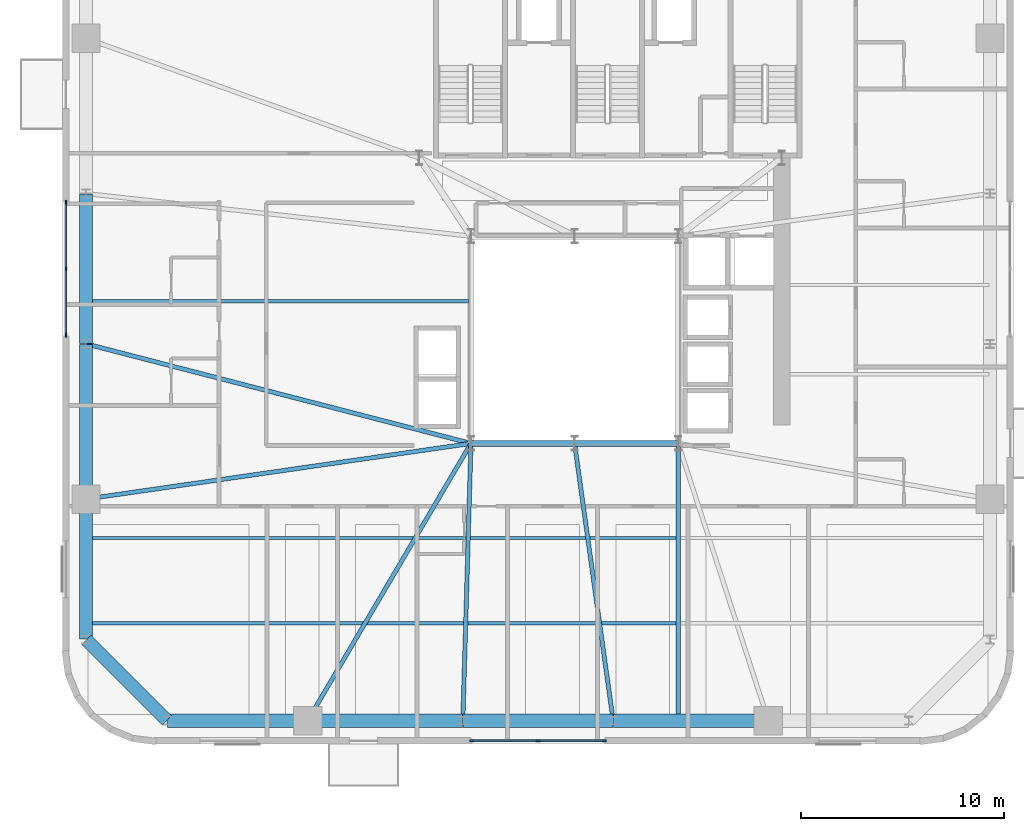
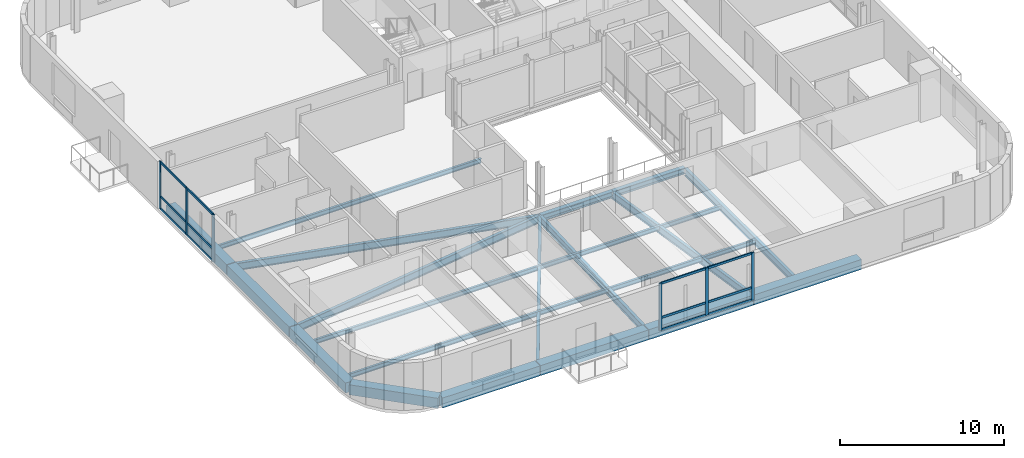
# One storey, part 3 of 16: 19 beams, 18 members, 2 elements without a shape of their own.
"""IFC4 building model written with IfcOpenShell, lengths in metres."""

from ifc_helpers import new_model, si_unit, direction, frame, origin, origin_2d, place, context, subcontext, project, spatial, rectangle, i_section, extrude, source, transform, mapped, material, material_profile, profile_set, type_object, element, aggregate, save


model = new_model("IFC4")

# Units and contexts
model_context = context("Model", 3, precision=1e-05, world=origin(), true_north=direction((0.0, 1.0)))
body_context = subcontext(model_context, "Body", "Model", "MODEL_VIEW")
ifc_project = project(units=[si_unit("LENGTHUNIT", "METRE"), si_unit("AREAUNIT", "SQUARE_METRE"), si_unit("VOLUMEUNIT", "CUBIC_METRE"), si_unit("PLANEANGLEUNIT", "RADIAN"), si_unit("MASSUNIT", "GRAM", prefix="KILO")], contexts=[model_context])

# Site, building, storey
site_placement = place(None, origin())
site = spatial("IfcSite", under=ifc_project, at=site_placement, CompositionType="ELEMENT")
building_placement = place(site_placement, origin())
building = spatial("IfcBuilding", under=site, at=building_placement, Name="Vardaveli Station Tower", CompositionType="ELEMENT")
storey_placement = place(building_placement, frame((0.0, 0.0, 211.050048828125)))
storey = spatial("IfcBuildingStorey", under=building, at=storey_placement, Name="L54", CompositionType="ELEMENT", Elevation=211.050048828125)

# Beams
ifc_material_1 = material(Name="Structural steel S355J2", Category="steel")
ifc_material_profile_1 = material_profile(ifc_material_1, i_section(OverallWidth=0.300048828125, OverallDepth=0.449951171875, WebThickness=0.013916015625, FlangeThickness=0.02587890625, FilletRadius=0.027099609375, at=origin_2d()), Name="HEB 450")
ifc_profile_set_1 = profile_set([ifc_material_profile_1], Name="Structural steel S355J2")
beam_type_1 = type_object("IfcBeamType", Name="BM-HEB450", PredefinedType="BEAM", material=ifc_profile_set_1)
shared_shape_1 = source(origin(), body_context, "Body", "SweptSolid", [
    extrude(i_section(OverallWidth=0.300048828125, OverallDepth=0.449951171875, WebThickness=0.013916015625, FlangeThickness=0.02587890625, FilletRadius=0.027099609375, at=origin_2d()), origin(), (0.0, 0.0, 1.0), 5.06005859375),
])
beam_1_placement = place(storey_placement, frame((31.219970703125, 16.60009765625, -0.445068359375), z_axis=(1.0, 0.0, 0.0), x_axis=(0.0, 1.0, 0.0)))
element("IfcBeam", 1, at=beam_1_placement, inside=storey, type_object=beam_type_1, Name="ABM-L54-01", PredefinedType="BEAM", context=body_context, shape_type="MappedRepresentation", body=[
    mapped(shared_shape_1, transform((0.0, 0.0, 0.0), scale=1.0)),
])
shared_shape_2 = source(origin(), body_context, "Body", "SweptSolid", [
    extrude(i_section(OverallWidth=0.300048828125, OverallDepth=0.449951171875, WebThickness=0.013916015625, FlangeThickness=0.02587890625, FilletRadius=0.027099609375, at=origin_2d()), origin(), (0.0, 0.0, 1.0), 5.059814453125),
])
beam_2_placement = place(storey_placement, frame((36.320068359375, 16.60009765625, -0.445068359375), z_axis=(1.0, 0.0, 0.0), x_axis=(0.0, 1.0, 0.0)))
element("IfcBeam", 2, at=beam_2_placement, inside=storey, type_object=beam_type_1, Name="ABM-L54-02", PredefinedType="BEAM", context=body_context, shape_type="MappedRepresentation", body=[
    mapped(shared_shape_2, transform((0.0, 0.0, 0.0), scale=1.0)),
])
ifc_material_2 = material(Name="Precast concrete C45/55", Category="concrete")
ifc_material_profile_2 = material_profile(ifc_material_2, rectangle(XDim=0.64990234375, YDim=0.75, at=origin_2d()), Name="LPB 650x750")
ifc_profile_set_2 = profile_set([ifc_material_profile_2], Name="Precast concrete C45/55")
beam_type_2 = type_object("IfcBeamType", Name="BM-LPB-750", PredefinedType="BEAM", material=ifc_profile_set_2)
shared_shape_3 = source(origin(), body_context, "Body", "SweptSolid", [
    extrude(rectangle(XDim=0.64990234375, YDim=0.75, at=origin_2d()), origin(), (0.0, 0.0, 1.0), 7.60009765625),
])
for number, where, z_axis, x_axis, name in (
    (3, (23.179931640625, 2.949951171875, -0.594970703125), (1.0, 0.0, 0.0), (0.0, 1.0, 0.0), "RBM-L54-01"),
    (4, (38.219970703125, 2.949951171875, -0.594970703125), (1.0, 0.0, 0.0), (0.0, 1.0, 0.0), "RBM-L54-03"),
    (5, (12.25, 21.47998046875, -0.594970703125), (0.0, -1.0, 0.0), (1.0, 0.0, 0.0), "RBM-L54-21"),
):
    element("IfcBeam", number, at=place(storey_placement, frame(where, z_axis=z_axis, x_axis=x_axis)), inside=storey, type_object=beam_type_2, Name=name, PredefinedType="BEAM", context=body_context, shape_type="MappedRepresentation", body=[
        mapped(shared_shape_3, transform((0.0, 0.0, 0.0), scale=1.0)),
    ])
shared_shape_4 = source(origin(), body_context, "Body", "SweptSolid", [
    extrude(rectangle(XDim=0.64990234375, YDim=0.75, at=origin_2d()), origin(), (0.0, 0.0, 1.0), 7.35986328125),
])
for number, where, z_axis, x_axis, name in (
    (6, (30.820068359375, 2.949951171875, -0.594970703125), (1.0, 0.0, 0.0), (0.0, 1.0, 0.0), "RBM-L54-02"),
    (7, (12.25, 28.8798828125, -0.594970703125), (0.0, -1.0, 0.0), (1.0, 0.0, 0.0), "RBM-L54-20"),
):
    element("IfcBeam", number, at=place(storey_placement, frame(where, z_axis=z_axis, x_axis=x_axis)), inside=storey, type_object=beam_type_2, Name=name, PredefinedType="BEAM", context=body_context, shape_type="MappedRepresentation", body=[
        mapped(shared_shape_4, transform((0.0, 0.0, 0.0), scale=1.0)),
    ])
shared_shape_5 = source(origin(), body_context, "Body", "SweptSolid", [
    extrude(rectangle(XDim=0.64990234375, YDim=0.75, at=origin_2d()), origin(), (0.0, 0.0, 1.0), 6.869873046875),
])
beam_3_placement = place(storey_placement, frame((16.27001953125, 2.949951171875, -0.594970703125), z_axis=(1.0, 0.0, 0.0), x_axis=(0.0, 1.0, 0.0)))
element("IfcBeam", 8, at=beam_3_placement, inside=storey, type_object=beam_type_2, Name="RBM-L54-24", PredefinedType="BEAM", context=body_context, shape_type="MappedRepresentation", body=[
    mapped(shared_shape_5, transform((0.0, 0.0, 0.0), scale=1.0)),
])
shared_shape_6 = source(origin(), body_context, "Body", "SweptSolid", [
    extrude(rectangle(XDim=0.64990234375, YDim=0.75, at=origin_2d()), origin(), (0.0, 0.0, 1.0), 5.61669921875),
])
beam_4_placement = place(storey_placement, frame((12.26416015625, 6.935791015625, -0.594970703125), z_axis=(0.707106781187, -0.707106781187, 0.0), x_axis=(0.707106781187, 0.707106781187, 0.0)))
element("IfcBeam", 9, at=beam_4_placement, inside=storey, type_object=beam_type_2, Name="RBM-L54-23", PredefinedType="BEAM", context=body_context, shape_type="MappedRepresentation", body=[
    mapped(shared_shape_6, transform((0.0, 0.0, 0.0), scale=1.0)),
])
shared_shape_7 = source(origin(), body_context, "Body", "SweptSolid", [
    extrude(rectangle(XDim=0.64990234375, YDim=0.75, at=origin_2d()), origin(), (0.0, 0.0, 1.0), 6.8701171875),
])
beam_5_placement = place(storey_placement, frame((12.25, 13.840087890625, -0.594970703125), z_axis=(0.0, -1.0, 0.0), x_axis=(1.0, 0.0, 0.0)))
element("IfcBeam", 10, at=beam_5_placement, inside=storey, type_object=beam_type_2, Name="RBM-L54-22", PredefinedType="BEAM", context=body_context, shape_type="MappedRepresentation", body=[
    mapped(shared_shape_7, transform((0.0, 0.0, 0.0), scale=1.0)),
])
ifc_material_profile_3 = material_profile(ifc_material_1, i_section(OverallWidth=0.2099609375, OverallDepth=0.550048828125, WebThickness=0.010986328125, FlangeThickness=0.01708984375, FilletRadius=0.02392578125, at=origin_2d()), Name="IPE 550")
ifc_profile_set_3 = profile_set([ifc_material_profile_3], Name="Structural steel S355J2")
beam_type_3 = type_object("IfcBeamType", Name="BM-IPE550", PredefinedType="BEAM", material=ifc_profile_set_3)
shared_shape_8 = source(origin(), body_context, "Body", "SweptSolid", [
    extrude(i_section(OverallWidth=0.2099609375, OverallDepth=0.550048828125, WebThickness=0.010986328125, FlangeThickness=0.01708984375, FilletRadius=0.02392578125, at=origin_2d()), origin(), (0.0, 0.0, 1.0), 13.469970703125),
])
beam_6_placement = place(storey_placement, frame((41.39990234375, 2.989990234375, -0.4951171875), z_axis=(0.0, 1.0, 0.0), x_axis=(-1.0, 0.0, 0.0)))
element("IfcBeam", 11, at=beam_6_placement, inside=storey, type_object=beam_type_3, Name="NSM-L54-S2", PredefinedType="BEAM", context=body_context, shape_type="MappedRepresentation", body=[
    mapped(shared_shape_8, transform((0.0, 0.0, 0.0), scale=1.0)),
])
ifc_material_profile_4 = material_profile(ifc_material_1, i_section(OverallWidth=0.159912109375, OverallDepth=0.330078125, WebThickness=0.007568359375, FlangeThickness=0.011474609375, FilletRadius=0.01806640625, at=origin_2d()), Name="IPE 330")
ifc_profile_set_4 = profile_set([ifc_material_profile_4], Name="Structural steel S355J2")
beam_type_4 = type_object("IfcBeamType", Name="BM-IPE330", PredefinedType="JOIST", material=ifc_profile_set_4)
shared_shape_9 = source(origin(), body_context, "Body", "SweptSolid", [
    extrude(i_section(OverallWidth=0.159912109375, OverallDepth=0.330078125, WebThickness=0.007568359375, FlangeThickness=0.011474609375, FilletRadius=0.01806640625, at=origin_2d()), origin(), (0.0, 0.0, 1.0), 28.998046875),
])
for number, where, z_axis, x_axis, name in (
    (12, (12.2900390625, 7.75, -0.385009765625), (1.0, 0.0, 0.0), (0.0, 1.0, 0.0), "SJ-L54-S01"),
    (13, (12.2900390625, 11.949951171875, -0.385009765625), (1.0, 0.0, 0.0), (0.0, 1.0, 0.0), "SJ-L54-S03"),
):
    element("IfcBeam", number, at=place(storey_placement, frame(where, z_axis=z_axis, x_axis=x_axis)), inside=storey, type_object=beam_type_4, Name=name, PredefinedType="JOIST", context=body_context, shape_type="MappedRepresentation", body=[
        mapped(shared_shape_9, transform((0.0, 0.0, 0.0), scale=1.0)),
    ])
shared_shape_10 = source(origin(), body_context, "Body", "SweptSolid", [
    extrude(i_section(OverallWidth=0.159912109375, OverallDepth=0.330078125, WebThickness=0.007568359375, FlangeThickness=0.011474609375, FilletRadius=0.01806640625, at=origin_2d()), origin(), (0.0, 0.0, 1.0), 18.7978515625),
])
beam_7_placement = place(storey_placement, frame((12.2900390625, 23.60009765625, -0.385009765625), z_axis=(1.0, 0.0, 0.0), x_axis=(0.0, 1.0, 0.0)))
element("IfcBeam", 14, at=beam_7_placement, inside=storey, type_object=beam_type_4, Name="SJ-L54-W06", PredefinedType="JOIST", context=body_context, shape_type="MappedRepresentation", body=[
    mapped(shared_shape_10, transform((0.0, 0.0, 0.0), scale=1.0)),
])
shared_shape_11 = source(origin(), body_context, "Body", "SweptSolid", [
    extrude(i_section(OverallWidth=0.2099609375, OverallDepth=0.550048828125, WebThickness=0.010986328125, FlangeThickness=0.01708984375, FilletRadius=0.02392578125, at=origin_2d()), origin(), (0.0, 0.0, 1.0), 15.8017578125),
])
beam_8_placement = place(storey_placement, frame((23.170166015625, 2.96728515625, -0.4951171875), z_axis=(0.507521713546, 0.86163896748, 0.0), x_axis=(-0.86163896748, 0.507521713546, 0.0)))
element("IfcBeam", 15, at=beam_8_placement, inside=storey, type_object=beam_type_3, Name="GBM-L54-01", PredefinedType="BEAM", context=body_context, shape_type="MappedRepresentation", body=[
    mapped(shared_shape_11, transform((0.0, 0.0, 0.0), scale=1.0)),
])
shared_shape_12 = source(origin(), body_context, "Body", "SweptSolid", [
    extrude(i_section(OverallWidth=0.2099609375, OverallDepth=0.550048828125, WebThickness=0.010986328125, FlangeThickness=0.01708984375, FilletRadius=0.02392578125, at=origin_2d()), origin(), (0.0, 0.0, 1.0), 13.615966796875),
])
beam_9_placement = place(storey_placement, frame((30.800537109375, 2.969970703125, -0.4951171875), z_axis=(0.029298411379, 0.9995707094, 0.0), x_axis=(-0.9995707094, 0.029298411379, 0.0)))
element("IfcBeam", 16, at=beam_9_placement, inside=storey, type_object=beam_type_3, Name="GBM-L54-02", PredefinedType="BEAM", context=body_context, shape_type="MappedRepresentation", body=[
    mapped(shared_shape_12, transform((0.0, 0.0, 0.0), scale=1.0)),
])
shared_shape_13 = source(origin(), body_context, "Body", "SweptSolid", [
    extrude(i_section(OverallWidth=0.2099609375, OverallDepth=0.550048828125, WebThickness=0.010986328125, FlangeThickness=0.01708984375, FilletRadius=0.02392578125, at=origin_2d()), origin(), (0.0, 0.0, 1.0), 13.741455078125),
])
beam_10_placement = place(storey_placement, frame((38.197265625, 2.9697265625, -0.4951171875), z_axis=(-0.137868554024, 0.990450534762, 0.0), x_axis=(-0.990450534762, -0.137868554024, 0.0)))
element("IfcBeam", 17, at=beam_10_placement, inside=storey, type_object=beam_type_3, Name="GBM-L54-03", PredefinedType="BEAM", context=body_context, shape_type="MappedRepresentation", body=[
    mapped(shared_shape_13, transform((0.0, 0.0, 0.0), scale=1.0)),
])
shared_shape_14 = source(origin(), body_context, "Body", "SweptSolid", [
    extrude(i_section(OverallWidth=0.2099609375, OverallDepth=0.550048828125, WebThickness=0.010986328125, FlangeThickness=0.01708984375, FilletRadius=0.02392578125, at=origin_2d()), origin(), (0.0, 0.0, 1.0), 19.533447265625),
])
beam_11_placement = place(storey_placement, frame((12.269287109375, 21.494873046875, -0.4951171875), z_axis=(0.968159081778, -0.250335759272, 0.0), x_axis=(0.250335759272, 0.968159081778, 0.0)))
element("IfcBeam", 18, at=beam_11_placement, inside=storey, type_object=beam_type_3, Name="GBM-L54-09", PredefinedType="BEAM", context=body_context, shape_type="MappedRepresentation", body=[
    mapped(shared_shape_14, transform((0.0, 0.0, 0.0), scale=1.0)),
])
shared_shape_15 = source(origin(), body_context, "Body", "SweptSolid", [
    extrude(i_section(OverallWidth=0.2099609375, OverallDepth=0.550048828125, WebThickness=0.010986328125, FlangeThickness=0.01708984375, FilletRadius=0.02392578125, at=origin_2d()), origin(), (0.0, 0.0, 1.0), 19.107177734375),
])
beam_12_placement = place(storey_placement, frame((12.269775390625, 13.86279296875, -0.4951171875), z_axis=(0.989707072711, 0.143108036903, 0.0), x_axis=(-0.143108036903, 0.989707072711, 0.0)))
element("IfcBeam", 19, at=beam_12_placement, inside=storey, type_object=beam_type_3, Name="GBM-L54-10", PredefinedType="BEAM", context=body_context, shape_type="MappedRepresentation", body=[
    mapped(shared_shape_15, transform((0.0, 0.0, 0.0), scale=1.0)),
])

# Curtain wall, members
ifc_material_3 = material(Name="Travertine stone and solar-control glass", Category="masonry")
curtain_wall_type = type_object("IfcCurtainWallType", Name="CW-SYS-5", PredefinedType="NOTDEFINED", material=ifc_material_3)
curtain_wall_1_placement = place(storey_placement, origin())
curtain_wall_1 = element("IfcCurtainWall", 20, at=curtain_wall_1_placement, inside=storey, type_object=curtain_wall_type, Name="CW-L54-S", PredefinedType="NOTDEFINED")
ifc_material_4 = material(Name="Anodised aluminium alloy 6063-T6", Category="aluminium")
ifc_material_profile_5 = material_profile(ifc_material_4, rectangle(XDim=0.080078125, YDim=0.1650390625, at=origin_2d()), Name="CWT 80x165")
ifc_profile_set_5 = profile_set([ifc_material_profile_5], Name="Anodised aluminium alloy 6063-T6")
member_type_1 = type_object("IfcMemberType", Name="CW-SYS-5-TRAN", PredefinedType="NOTDEFINED", material=ifc_profile_set_5)
shared_shape_16 = source(origin(), body_context, "Body", "SweptSolid", [
    extrude(rectangle(XDim=0.080078125, YDim=0.1650390625, at=origin_2d()), origin(), (0.0, 0.0, 1.0), 3.179931640625),
])
member_1_placement = place(storey_placement, frame((31.280029296875, 1.9599609375, 0.0400390625), z_axis=(1.0, 0.0, 0.0), x_axis=(0.0, 1.0, 0.0)))
member_1 = element("IfcMember", 21, at=member_1_placement, type_object=member_type_1, Name="CW-5 transom 1.1", ObjectType="TRANSOM", PredefinedType="USERDEFINED", context=body_context, shape_type="MappedRepresentation", body=[
    mapped(shared_shape_16, transform((0.0, 0.0, 0.0), scale=1.0)),
])
member_2_placement = place(storey_placement, frame((31.280029296875, 1.9599609375, 0.949951171875), z_axis=(1.0, 0.0, 0.0), x_axis=(0.0, 1.0, 0.0)))
member_2 = element("IfcMember", 22, at=member_2_placement, type_object=member_type_1, Name="CW-5 transom 1.2", ObjectType="TRANSOM", PredefinedType="USERDEFINED", context=body_context, shape_type="MappedRepresentation", body=[
    mapped(shared_shape_16, transform((0.0, 0.0, 0.0), scale=1.0)),
])
member_3_placement = place(storey_placement, frame((31.280029296875, 1.9599609375, 3.489990234375), z_axis=(1.0, 0.0, 0.0), x_axis=(0.0, 1.0, 0.0)))
member_3 = element("IfcMember", 23, at=member_3_placement, type_object=member_type_1, Name="CW-5 transom 1.3", ObjectType="TRANSOM", PredefinedType="USERDEFINED", context=body_context, shape_type="MappedRepresentation", body=[
    mapped(shared_shape_16, transform((0.0, 0.0, 0.0), scale=1.0)),
])
member_4_placement = place(storey_placement, frame((34.5400390625, 1.9599609375, 0.0400390625), z_axis=(1.0, 0.0, 0.0), x_axis=(0.0, 1.0, 0.0)))
member_4 = element("IfcMember", 24, at=member_4_placement, type_object=member_type_1, Name="CW-5 transom 2.1", ObjectType="TRANSOM", PredefinedType="USERDEFINED", context=body_context, shape_type="MappedRepresentation", body=[
    mapped(shared_shape_16, transform((0.0, 0.0, 0.0), scale=1.0)),
])
member_5_placement = place(storey_placement, frame((34.5400390625, 1.9599609375, 0.949951171875), z_axis=(1.0, 0.0, 0.0), x_axis=(0.0, 1.0, 0.0)))
member_5 = element("IfcMember", 25, at=member_5_placement, type_object=member_type_1, Name="CW-5 transom 2.2", ObjectType="TRANSOM", PredefinedType="USERDEFINED", context=body_context, shape_type="MappedRepresentation", body=[
    mapped(shared_shape_16, transform((0.0, 0.0, 0.0), scale=1.0)),
])
member_6_placement = place(storey_placement, frame((34.5400390625, 1.9599609375, 3.489990234375), z_axis=(1.0, 0.0, 0.0), x_axis=(0.0, 1.0, 0.0)))
member_6 = element("IfcMember", 26, at=member_6_placement, type_object=member_type_1, Name="CW-5 transom 2.3", ObjectType="TRANSOM", PredefinedType="USERDEFINED", context=body_context, shape_type="MappedRepresentation", body=[
    mapped(shared_shape_16, transform((0.0, 0.0, 0.0), scale=1.0)),
])

curtain_wall_2_placement = place(storey_placement, origin())
curtain_wall_2 = element("IfcCurtainWall", 27, at=curtain_wall_2_placement, inside=storey, type_object=curtain_wall_type, Name="CW-L54-W", PredefinedType="NOTDEFINED")
member_7_placement = place(storey_placement, frame((11.260009765625, 28.419921875, 0.0400390625), z_axis=(0.0, -1.0, 0.0), x_axis=(1.0, 0.0, 0.0)))
member_7 = element("IfcMember", 28, at=member_7_placement, type_object=member_type_1, Name="CW-5 transom 1.1", ObjectType="TRANSOM", PredefinedType="USERDEFINED", context=body_context, shape_type="MappedRepresentation", body=[
    mapped(shared_shape_16, transform((0.0, 0.0, 0.0), scale=1.0)),
])
member_8_placement = place(storey_placement, frame((11.260009765625, 28.419921875, 0.949951171875), z_axis=(0.0, -1.0, 0.0), x_axis=(1.0, 0.0, 0.0)))
member_8 = element("IfcMember", 29, at=member_8_placement, type_object=member_type_1, Name="CW-5 transom 1.2", ObjectType="TRANSOM", PredefinedType="USERDEFINED", context=body_context, shape_type="MappedRepresentation", body=[
    mapped(shared_shape_16, transform((0.0, 0.0, 0.0), scale=1.0)),
])
member_9_placement = place(storey_placement, frame((11.260009765625, 28.419921875, 3.489990234375), z_axis=(0.0, -1.0, 0.0), x_axis=(1.0, 0.0, 0.0)))
member_9 = element("IfcMember", 30, at=member_9_placement, type_object=member_type_1, Name="CW-5 transom 1.3", ObjectType="TRANSOM", PredefinedType="USERDEFINED", context=body_context, shape_type="MappedRepresentation", body=[
    mapped(shared_shape_16, transform((0.0, 0.0, 0.0), scale=1.0)),
])
member_10_placement = place(storey_placement, frame((11.260009765625, 25.159912109375, 0.0400390625), z_axis=(0.0, -1.0, 0.0), x_axis=(1.0, 0.0, 0.0)))
member_10 = element("IfcMember", 31, at=member_10_placement, type_object=member_type_1, Name="CW-5 transom 2.1", ObjectType="TRANSOM", PredefinedType="USERDEFINED", context=body_context, shape_type="MappedRepresentation", body=[
    mapped(shared_shape_16, transform((0.0, 0.0, 0.0), scale=1.0)),
])
member_11_placement = place(storey_placement, frame((11.260009765625, 25.159912109375, 0.949951171875), z_axis=(0.0, -1.0, 0.0), x_axis=(1.0, 0.0, 0.0)))
member_11 = element("IfcMember", 32, at=member_11_placement, type_object=member_type_1, Name="CW-5 transom 2.2", ObjectType="TRANSOM", PredefinedType="USERDEFINED", context=body_context, shape_type="MappedRepresentation", body=[
    mapped(shared_shape_16, transform((0.0, 0.0, 0.0), scale=1.0)),
])
member_12_placement = place(storey_placement, frame((11.260009765625, 25.159912109375, 3.489990234375), z_axis=(0.0, -1.0, 0.0), x_axis=(1.0, 0.0, 0.0)))
member_12 = element("IfcMember", 33, at=member_12_placement, type_object=member_type_1, Name="CW-5 transom 2.3", ObjectType="TRANSOM", PredefinedType="USERDEFINED", context=body_context, shape_type="MappedRepresentation", body=[
    mapped(shared_shape_16, transform((0.0, 0.0, 0.0), scale=1.0)),
])

# Member
ifc_material_profile_6 = material_profile(ifc_material_4, rectangle(XDim=0.080078125, YDim=0.205078125, at=origin_2d()), Name="CWM 80x205")
ifc_profile_set_6 = profile_set([ifc_material_profile_6], Name="Anodised aluminium alloy 6063-T6")
member_type_2 = type_object("IfcMemberType", Name="CW-SYS-5-MULL", PredefinedType="MULLION", material=ifc_profile_set_6)
shared_shape_17 = source(origin(), body_context, "Body", "SweptSolid", [
    extrude(rectangle(XDim=0.080078125, YDim=0.205078125, at=origin_2d()), origin(), (0.0, 0.0, 1.0), 3.530029296875),
])
member_13_placement = place(storey_placement, frame((31.239990234375, 1.9599609375, 0.0), z_axis=(0.0, 0.0, 1.0), x_axis=(0.0, 1.0, 0.0)))
member_13 = element("IfcMember", 34, at=member_13_placement, type_object=member_type_2, Name="CW-5 mullion 1", PredefinedType="MULLION", context=body_context, shape_type="MappedRepresentation", body=[
    mapped(shared_shape_17, transform((0.0, 0.0, 0.0), scale=1.0)),
])

member_14_placement = place(storey_placement, frame((34.5, 1.9599609375, 0.0), z_axis=(0.0, 0.0, 1.0), x_axis=(0.0, 1.0, 0.0)))
member_14 = element("IfcMember", 35, at=member_14_placement, type_object=member_type_2, Name="CW-5 mullion 2", PredefinedType="MULLION", context=body_context, shape_type="MappedRepresentation", body=[
    mapped(shared_shape_17, transform((0.0, 0.0, 0.0), scale=1.0)),
])

member_15_placement = place(storey_placement, frame((37.760009765625, 1.9599609375, 0.0), z_axis=(0.0, 0.0, 1.0), x_axis=(0.0, 1.0, 0.0)))
member_15 = element("IfcMember", 36, at=member_15_placement, type_object=member_type_2, Name="CW-5 mullion 3", PredefinedType="MULLION", context=body_context, shape_type="MappedRepresentation", body=[
    mapped(shared_shape_17, transform((0.0, 0.0, 0.0), scale=1.0)),
])

aggregate(curtain_wall_1, [member_13, member_14, member_15, member_1, member_2, member_3, member_4, member_5, member_6])

member_16_placement = place(storey_placement, frame((11.260009765625, 28.4599609375, 0.0), z_axis=(0.0, 0.0, 1.0), x_axis=(1.0, 0.0, 0.0)))
member_16 = element("IfcMember", 37, at=member_16_placement, type_object=member_type_2, Name="CW-5 mullion 1", PredefinedType="MULLION", context=body_context, shape_type="MappedRepresentation", body=[
    mapped(shared_shape_17, transform((0.0, 0.0, 0.0), scale=1.0)),
])

member_17_placement = place(storey_placement, frame((11.260009765625, 25.199951171875, 0.0), z_axis=(0.0, 0.0, 1.0), x_axis=(1.0, 0.0, 0.0)))
member_17 = element("IfcMember", 38, at=member_17_placement, type_object=member_type_2, Name="CW-5 mullion 2", PredefinedType="MULLION", context=body_context, shape_type="MappedRepresentation", body=[
    mapped(shared_shape_17, transform((0.0, 0.0, 0.0), scale=1.0)),
])

member_18_placement = place(storey_placement, frame((11.260009765625, 21.93994140625, 0.0), z_axis=(0.0, 0.0, 1.0), x_axis=(1.0, 0.0, 0.0)))
member_18 = element("IfcMember", 39, at=member_18_placement, type_object=member_type_2, Name="CW-5 mullion 3", PredefinedType="MULLION", context=body_context, shape_type="MappedRepresentation", body=[
    mapped(shared_shape_17, transform((0.0, 0.0, 0.0), scale=1.0)),
])

aggregate(curtain_wall_2, [member_16, member_17, member_18, member_7, member_8, member_9, member_10, member_11, member_12])

save(model, "model.ifc")
